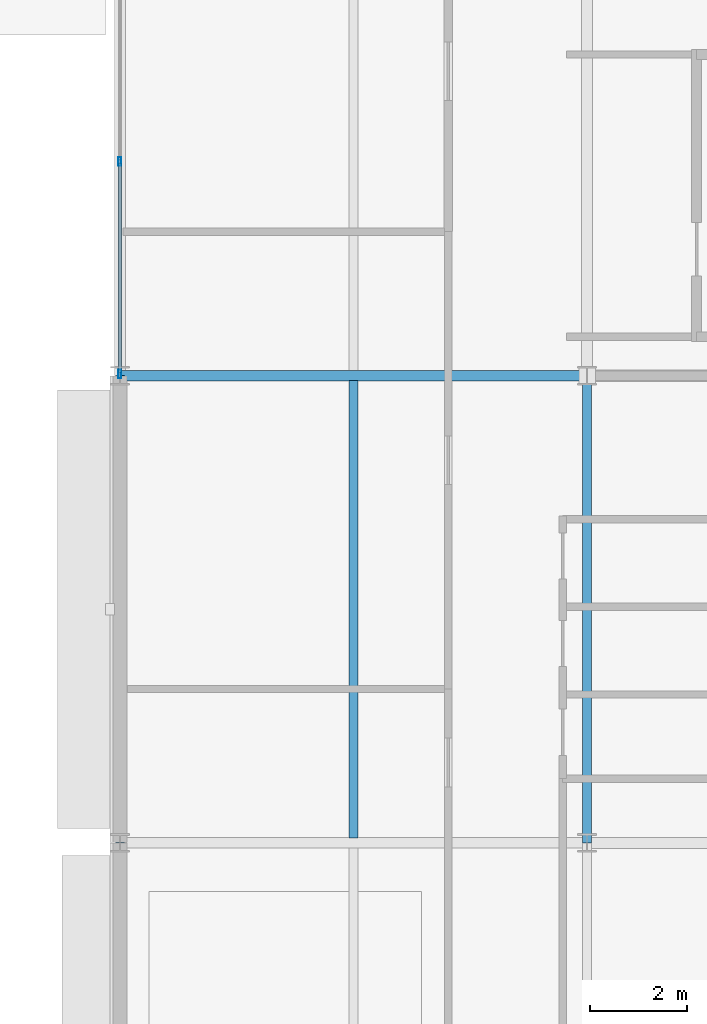
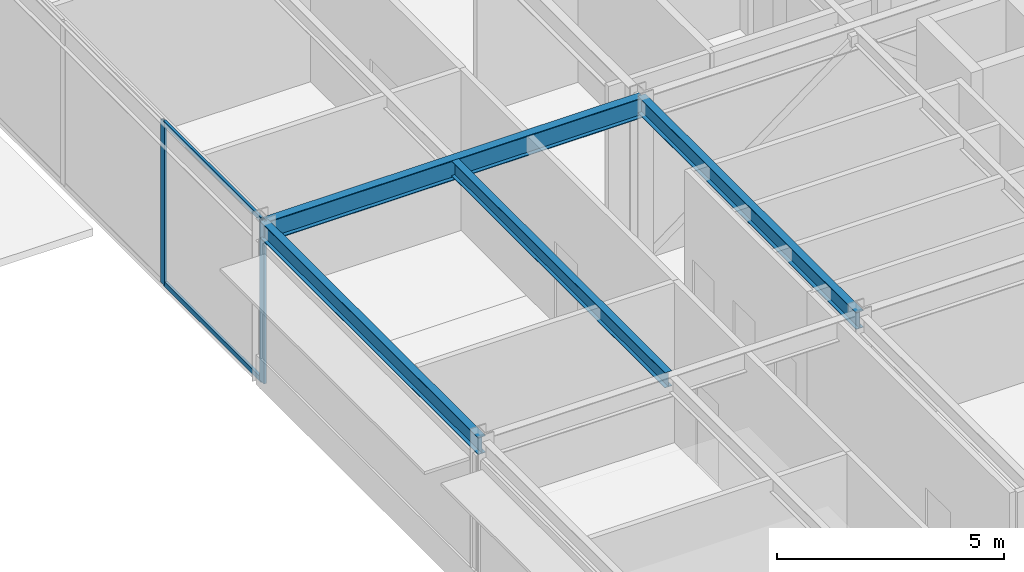
# One storey, part 84 of 133: 4 beams, 4 members, 1 element without a shape of its own.
"""IFC4 building model written with IfcOpenShell, lengths in metres."""

from ifc_helpers import new_model, si_unit, direction, frame, origin, origin_2d, place, context, subcontext, project, spatial, hollow_rectangle, i_section, extrude, material, material_profile, profile_set, type_object, element, aggregate, save


model = new_model("IFC4")

# Units and contexts
model_context = context("Model", 3, precision=1e-05, world=origin(), true_north=direction((0.0, 1.0)))
body_context = subcontext(model_context, "Body", "Model", "MODEL_VIEW")
ifc_project = project(units=[si_unit("LENGTHUNIT", "METRE"), si_unit("AREAUNIT", "SQUARE_METRE"), si_unit("VOLUMEUNIT", "CUBIC_METRE"), si_unit("PLANEANGLEUNIT", "RADIAN"), si_unit("MASSUNIT", "GRAM", prefix="KILO")], contexts=[model_context])

# Site, building, storey
site_placement = place(None, origin())
site = spatial("IfcSite", under=ifc_project, at=site_placement, CompositionType="ELEMENT")
building_placement = place(site_placement, origin())
building = spatial("IfcBuilding", under=site, at=building_placement, Name="Almandine Court Research Institute", CompositionType="ELEMENT")
storey_placement = place(building_placement, frame((0.0, 0.0, 9.800048828125)))
storey = spatial("IfcBuildingStorey", under=building, at=storey_placement, Name="L02", CompositionType="ELEMENT", Elevation=9.800048828125)

# Beams
ifc_material_1 = material(Name="Steel ASTM A992 Grade 50", Category="steel")
ifc_material_profile_1 = material_profile(ifc_material_1, i_section(OverallWidth=0.18994140625, OverallDepth=0.45703125, WebThickness=0.009033203125, FlangeThickness=0.014892578125, at=origin_2d()), Name="W460x74")
ifc_profile_set_1 = profile_set([ifc_material_profile_1], Name="Steel ASTM A992 Grade 50")
beam_type_1 = type_object("IfcBeamType", Name="Beam-B-01", PredefinedType="BEAM", material=ifc_profile_set_1)
for number, where, z_axis, x_axis, name in (
    (1, (153.60009765625, 34.800048828125, 4.140869140625), (0.0, 1.0, 0.0), (-1.0, 0.0, 0.0), "L02 V4 Primary Y Girder"),
    (2, (163.199951171875, 34.800048828125, 4.140869140625), (0.0, 1.0, 0.0), (-1.0, 0.0, 0.0), "L02 V4 Primary Y Girder"),
):
    element("IfcBeam", number, at=place(storey_placement, frame(where, z_axis=z_axis, x_axis=x_axis)), inside=storey, type_object=beam_type_1, Name=name, PredefinedType="BEAM", context=body_context, shape_type="SweptSolid", body=[
        extrude(i_section(OverallWidth=0.18994140625, OverallDepth=0.45703125, WebThickness=0.009033203125, FlangeThickness=0.014892578125, at=origin_2d()), origin(), (0.0, 0.0, 1.0), 9.599853515625),
    ])
ifc_material_profile_2 = material_profile(ifc_material_1, i_section(OverallWidth=0.178955078125, OverallDepth=0.409912109375, WebThickness=0.009033203125, FlangeThickness=0.013916015625, at=origin_2d()), Name="W410x67")
ifc_profile_set_2 = profile_set([ifc_material_profile_2], Name="Steel ASTM A992 Grade 50")
beam_type_2 = type_object("IfcBeamType", Name="Beam-B-02", PredefinedType="JOIST", material=ifc_profile_set_2)
beam_1_placement = place(storey_placement, frame((158.39990234375, 34.903076171875, 4.1650390625), z_axis=(0.0, 1.0, 0.0), x_axis=(-1.0, 0.0, 0.0)))
element("IfcBeam", 3, at=beam_1_placement, inside=storey, type_object=beam_type_2, Name="L02 V4 Composite Secondary Beam", PredefinedType="JOIST", context=body_context, shape_type="SweptSolid", body=[
    extrude(i_section(OverallWidth=0.178955078125, OverallDepth=0.409912109375, WebThickness=0.009033203125, FlangeThickness=0.013916015625, at=origin_2d()), origin(), (0.0, 0.0, 1.0), 9.39404296875),
])
ifc_material_profile_3 = material_profile(ifc_material_1, i_section(OverallWidth=0.2109375, OverallDepth=0.5390625, WebThickness=0.011962890625, FlangeThickness=0.01904296875, at=origin_2d()), Name="W530x109")
ifc_profile_set_3 = profile_set([ifc_material_profile_3], Name="Steel ASTM A992 Grade 50")
beam_type_3 = type_object("IfcBeamType", Name="Beam-G-04", PredefinedType="BEAM", material=ifc_profile_set_3)
beam_2_placement = place(storey_placement, frame((153.60009765625, 44.39990234375, 4.099853515625), z_axis=(1.0, 0.0, 0.0), x_axis=(0.0, 1.0, 0.0)))
element("IfcBeam", 4, at=beam_2_placement, inside=storey, type_object=beam_type_3, Name="L02 V4 Primary X Girder", PredefinedType="BEAM", context=body_context, shape_type="SweptSolid", body=[
    extrude(i_section(OverallWidth=0.2109375, OverallDepth=0.5390625, WebThickness=0.011962890625, FlangeThickness=0.01904296875, at=origin_2d()), origin(), (0.0, 0.0, 1.0), 9.599853515625),
])

# Curtain wall, members
ifc_material_2 = material(Name="Unitised Curtain Wall Framing and Solar Glazing", Category="glass")
curtain_wall_type = type_object("IfcCurtainWallType", Name="CW-CWJ-15", PredefinedType="USERDEFINED", material=ifc_material_2)
curtain_wall_placement = place(storey_placement, origin())
curtain_wall = element("IfcCurtainWall", 5, at=curtain_wall_placement, inside=storey, type_object=curtain_wall_type, Name="L02 Wet Lab West Courtyard Jali Curtain Wall 5", ObjectType="SOLAR JALI SCREEN", PredefinedType="USERDEFINED")
ifc_material_3 = material(Name="Anodised Aluminium AW-6063-T6", Category="aluminium")
ifc_material_profile_4 = material_profile(ifc_material_3, hollow_rectangle(XDim=0.06494140625, YDim=0.179931640625, WallThickness=0.00390625, at=origin_2d()), Name="ALU RHS 65x180x4")
ifc_profile_set_4 = profile_set([ifc_material_profile_4], Name="Anodised Aluminium AW-6063-T6")
member_type_1 = type_object("IfcMemberType", Name="CWMul-65x180", PredefinedType="MULLION", material=ifc_profile_set_4)
member_1_placement = place(storey_placement, frame((153.60009765625, 44.4365234375, 0.0), z_axis=(0.0, 0.0, 1.0), x_axis=(-1.0, 0.0, 0.0)))
member_1 = element("IfcMember", 6, at=member_1_placement, type_object=member_type_1, Name="CWJ-15 mullion 1", PredefinedType="MULLION", context=body_context, shape_type="SweptSolid", body=[
    extrude(hollow_rectangle(XDim=0.06494140625, YDim=0.179931640625, WallThickness=0.00390625, at=origin_2d()), origin(), (0.0, 0.0, 1.0), 4.369873046875),
])
member_2_placement = place(storey_placement, frame((153.60009765625, 48.80126953125, 0.0), z_axis=(0.0, 0.0, 1.0), x_axis=(-1.0, 0.0, 0.0)))
member_2 = element("IfcMember", 7, at=member_2_placement, type_object=member_type_1, Name="CWJ-15 mullion 2", PredefinedType="MULLION", context=body_context, shape_type="SweptSolid", body=[
    extrude(hollow_rectangle(XDim=0.06494140625, YDim=0.179931640625, WallThickness=0.00390625, at=origin_2d()), origin(), (0.0, 0.0, 1.0), 4.369873046875),
])
ifc_material_profile_5 = material_profile(ifc_material_3, hollow_rectangle(XDim=0.06494140625, YDim=0.1298828125, WallThickness=0.00390625, at=origin_2d()), Name="ALU RHS 65x130x4")
ifc_profile_set_5 = profile_set([ifc_material_profile_5], Name="Anodised Aluminium AW-6063-T6")
member_type_2 = type_object("IfcMemberType", Name="CWTrn-65x130", PredefinedType="NOTDEFINED", material=ifc_profile_set_5)
member_3_placement = place(storey_placement, frame((153.60009765625, 44.468994140625, 0.032470703125), z_axis=(0.0, 1.0, 0.0), x_axis=(-1.0, 0.0, 0.0)))
member_3 = element("IfcMember", 8, at=member_3_placement, type_object=member_type_2, Name="CWJ-15 transom 1.1", ObjectType="TRANSOM", PredefinedType="USERDEFINED", context=body_context, shape_type="SweptSolid", body=[
    extrude(hollow_rectangle(XDim=0.06494140625, YDim=0.1298828125, WallThickness=0.00390625, at=origin_2d()), origin(), (0.0, 0.0, 1.0), 4.2998046875),
])
member_4_placement = place(storey_placement, frame((153.60009765625, 44.468994140625, 4.33740234375), z_axis=(0.0, 1.0, 0.0), x_axis=(-1.0, 0.0, 0.0)))
member_4 = element("IfcMember", 9, at=member_4_placement, type_object=member_type_2, Name="CWJ-15 transom 1.2", ObjectType="TRANSOM", PredefinedType="USERDEFINED", context=body_context, shape_type="SweptSolid", body=[
    extrude(hollow_rectangle(XDim=0.06494140625, YDim=0.1298828125, WallThickness=0.00390625, at=origin_2d()), origin(), (0.0, 0.0, 1.0), 4.2998046875),
])
aggregate(curtain_wall, [member_1, member_2, member_3, member_4])

save(model, "model.ifc")
